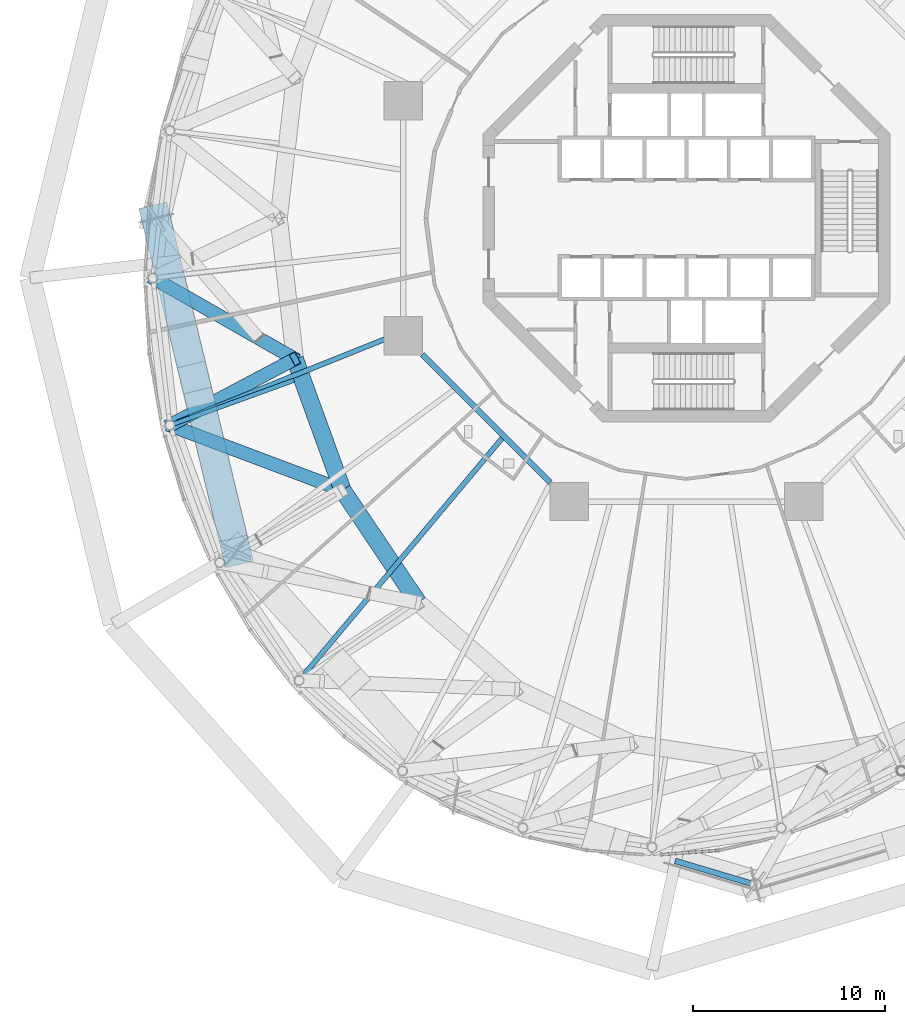
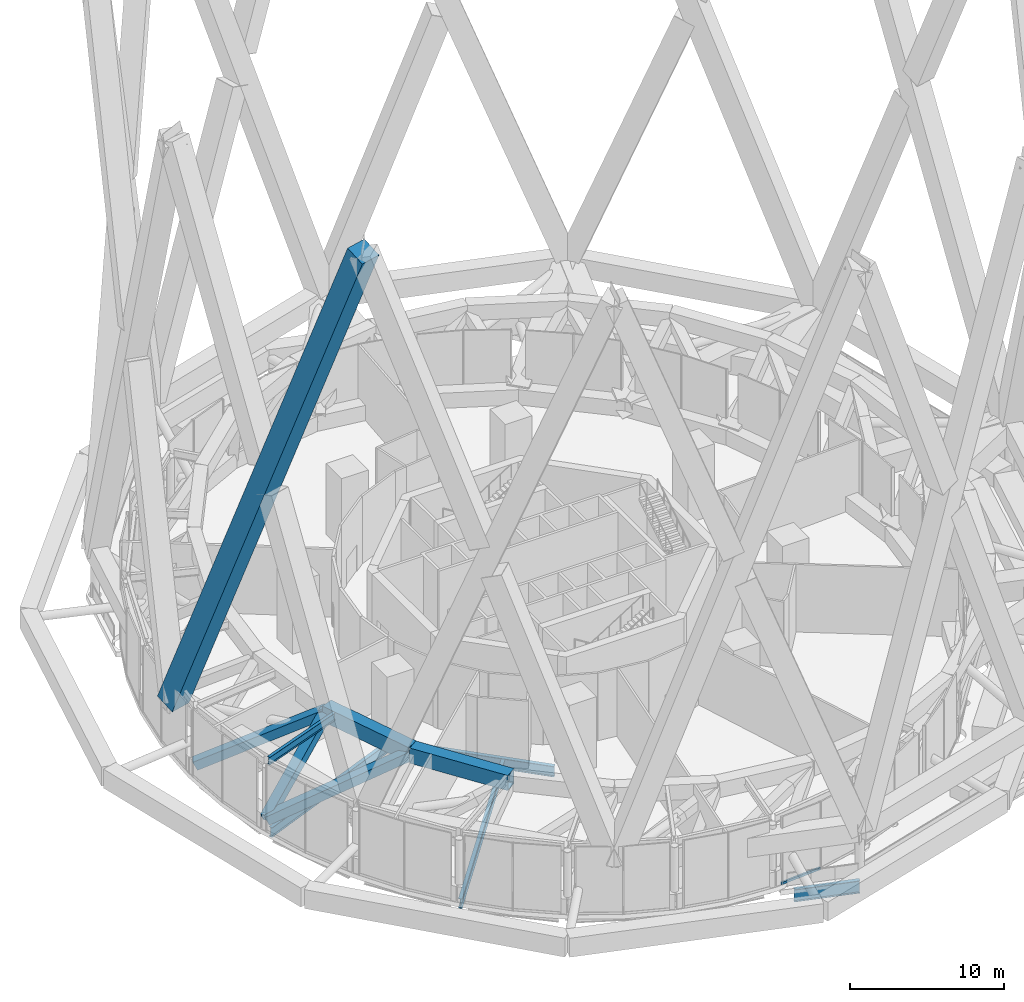
# One storey, part 11 of 49: 10 beams, 2 members, 1 element without a shape of its own.
"""IFC4 building model written with IfcOpenShell, lengths in metres."""

import ifcopenshell
import ifcopenshell.guid

model = None  # the IFC model being written
_history = None  # IfcOwnerHistory: only IFC2X3 demands one
_inside = {}  # id of a spatial element -> (the spatial element, [elements in it])
_under = {}  # id of a project, library or spatial element -> (it, [spatial elements below it])
_declared = {}  # id of a project -> (the project, [libraries it declares])
_typed = {}  # id of a type object -> (the type object, [elements of that type])
_made_of = {}  # id of a material, layer set ... -> (it, [elements and type objects made of it])


def new_model(schema):
    """Start an empty IFC model of exactly this schema.

    Asked for "IFC4X3", IfcOpenShell would pick the latest addendum, in which some entities
    have other attributes; the version numbers below select the first issue.
    IFC2X3 requires an IfcOwnerHistory on every rooted entity: one is made here for all.
    """
    global model, _history
    if schema == "IFC4X3":
        model = ifcopenshell.file(schema_version=(4, 3, 0, 0))
    else:
        model = ifcopenshell.file(schema=schema)
    _inside.clear()
    _under.clear()
    _declared.clear()
    _typed.clear()
    _made_of.clear()
    _history = None
    if model.schema == "IFC2X3":
        org = make("IfcOrganization", Name="unknown")
        user = make(
            "IfcPersonAndOrganization",
            ThePerson=make("IfcPerson", FamilyName="unknown"),
            TheOrganization=org,
        )
        app = make(
            "IfcApplication",
            ApplicationDeveloper=org,
            Version="unknown",
            ApplicationFullName="unknown",
            ApplicationIdentifier="unknown",
        )
        _history = make(
            "IfcOwnerHistory",
            OwningUser=user,
            OwningApplication=app,
            ChangeAction="ADDED",
            CreationDate=0,
        )
    return model


def make(cls, **values):
    """One entity of the class cls with the attributes given. An attribute that is None is left unset."""
    return model.create_entity(
        cls, **{name: value for name, value in values.items() if value is not None}
    )


def rooted(cls, **values):
    """An entity with a GlobalId (a new one), such as an element, a storey or a relation."""
    return make(cls, GlobalId=ifcopenshell.guid.new(), OwnerHistory=_history, **values)


def si_unit(unit_type, name, prefix=None):
    """IfcSIUnit, for example si_unit("LENGTHUNIT", "METRE", prefix="MILLI")."""
    return make("IfcSIUnit", UnitType=unit_type, Prefix=prefix, Name=name)


def assignment(units):
    """IfcUnitAssignment: the units of a project."""
    return None if units is None else make("IfcUnitAssignment", Units=units)


def point(xyz):
    """IfcCartesianPoint."""
    return None if xyz is None else make("IfcCartesianPoint", Coordinates=xyz)


def direction(xyz):
    """IfcDirection."""
    return None if xyz is None else make("IfcDirection", DirectionRatios=xyz)


def frame(location, z_axis=None, x_axis=None):
    """IfcAxis2Placement3D, a coordinate frame: its origin and axes. An axis left out is left unset."""
    return make(
        "IfcAxis2Placement3D",
        Location=point(location),
        Axis=direction(z_axis),
        RefDirection=direction(x_axis),
    )


def frame_2d(location, x_axis=None):
    """IfcAxis2Placement2D, a coordinate frame in the plane: its origin and x axis."""
    return make(
        "IfcAxis2Placement2D", Location=point(location), RefDirection=direction(x_axis)
    )


def origin():
    """The frame at (0, 0, 0) with its axes left unset."""
    return frame((0.0, 0.0, 0.0))


def origin_2d():
    """The frame at (0, 0) in the plane with its x axis left unset."""
    return frame_2d((0.0, 0.0))


def place(relative_to, where):
    """IfcLocalPlacement: puts the frame where relative to a parent placement (None: the world)."""
    return make(
        "IfcLocalPlacement", PlacementRelTo=relative_to, RelativePlacement=where
    )


def context(
    kind, dimensions, precision=None, world=None, true_north=None, identifier=None
):
    """IfcGeometricRepresentationContext, for example the 3D "Model" context."""
    return make(
        "IfcGeometricRepresentationContext",
        ContextIdentifier=identifier,
        ContextType=kind,
        CoordinateSpaceDimension=dimensions,
        Precision=precision,
        WorldCoordinateSystem=world,
        TrueNorth=true_north,
    )


def subcontext(parent, identifier, kind, view, scale=None):
    """IfcGeometricRepresentationSubContext, for example "Body" below "Model"."""
    return make(
        "IfcGeometricRepresentationSubContext",
        ContextIdentifier=identifier,
        ContextType=kind,
        ParentContext=parent,
        TargetScale=scale,
        TargetView=view,
    )


def project(units=None, contexts=None):
    """IfcProject with its units and contexts."""
    return rooted(
        "IfcProject",
        Name="project",
        RepresentationContexts=contexts,
        UnitsInContext=assignment(units),
    )


def spatial(cls, under=None, at=None, **own):
    """A site, building, storey or space (cls), placed at a placement, below another one or the project."""
    s = rooted(cls, ObjectPlacement=at, **own)
    if under is not None:
        _under.setdefault(under.id(), (under, []))[1].append(s)
    return s


def profile(cls, at=None, kind="AREA", **sizes):
    """A parametric profile (cls). Its sizes go by their IFC names, for example OverallWidth=200.0."""
    return make(cls, ProfileType=kind, Position=at, **sizes)


def rectangle(**sizes):
    """IfcRectangleProfileDef."""
    return profile("IfcRectangleProfileDef", **sizes)


def hollow_rectangle(**sizes):
    """IfcRectangleHollowProfileDef."""
    return profile("IfcRectangleHollowProfileDef", **sizes)


def i_section(**sizes):
    """IfcIShapeProfileDef."""
    return profile("IfcIShapeProfileDef", **sizes)


def extrude(swept, where, along, depth):
    """IfcExtrudedAreaSolid: the profile swept, set in the frame where, extruded along a direction by depth."""
    return make(
        "IfcExtrudedAreaSolid",
        SweptArea=swept,
        Position=where,
        ExtrudedDirection=direction(along),
        Depth=depth,
    )


def shape(context_of_items, identifier, shape_type, items):
    """IfcShapeRepresentation: the items that make up one representation, for example the "Body"."""
    return make(
        "IfcShapeRepresentation",
        ContextOfItems=context_of_items,
        RepresentationIdentifier=identifier,
        RepresentationType=shape_type,
        Items=items,
    )


def material(Name=None, Category=None):
    """IfcMaterial."""
    return make("IfcMaterial", Name=Name, Category=Category)


def layer(
    of_material, thickness, ventilated=None, Name=None, Category=None, Priority=None
):
    """IfcMaterialLayer: one layer of a wall or slab, of a material (None: an air gap)."""
    return make(
        "IfcMaterialLayer",
        Material=of_material,
        LayerThickness=thickness,
        IsVentilated=ventilated,
        Name=Name,
        Category=Category,
        Priority=Priority,
    )


def layer_set(layers, Name=None):
    """IfcMaterialLayerSet."""
    return make("IfcMaterialLayerSet", MaterialLayers=layers, LayerSetName=Name)


def material_profile(
    of_material, cross_section, Name=None, Category=None, Priority=None
):
    """IfcMaterialProfile: a cross section and its material."""
    return make(
        "IfcMaterialProfile",
        Name=Name,
        Material=of_material,
        Profile=cross_section,
        Priority=Priority,
        Category=Category,
    )


def profile_set(profiles, Name=None, composite=None):
    """IfcMaterialProfileSet."""
    return make(
        "IfcMaterialProfileSet",
        Name=Name,
        MaterialProfiles=profiles,
        CompositeProfile=composite,
    )


def made_of(thing, what):
    """Note that an element or type object is made of a material, layer set ...; save() writes the relation."""
    if what is not None:
        _made_of.setdefault(what.id(), (what, []))[1].append(thing)
    return thing


def type_object(cls, material=None, **own):
    """A type object (cls), such as IfcWallType, which elements share."""
    return made_of(rooted(cls, **own), material)


def element(
    cls,
    number,
    at=None,
    inside=None,
    cuts=None,
    type_object=None,
    material=None,
    context=None,
    identifier="Body",
    shape_type=None,
    held_by="IfcProductDefinitionShape",
    body=None,
    shapes=None,
    **own,
):
    """One element of the class cls, such as IfcWall. Its Tag is "e" and its number.

    at: its placement. inside: the storey or other place that contains it. cuts: it is an
    opening in that element (IfcRelVoidsElement). A single representation is given by context,
    identifier, shape_type and body (its items); several are given by shapes. held_by: the class
    of the entity that holds the representations. save() writes the other relations.
    """
    e = rooted(cls, Tag="e%d" % number, ObjectPlacement=at, **own)
    if body is not None:
        shapes = [shape(context, identifier, shape_type, body)]
    if shapes is not None:
        e.Representation = make(held_by, Representations=shapes)
    if inside is not None:
        _inside.setdefault(inside.id(), (inside, []))[1].append(e)
    if cuts is not None:
        rooted(
            "IfcRelVoidsElement", RelatingBuildingElement=cuts, RelatedOpeningElement=e
        )
    if type_object is not None:
        _typed.setdefault(type_object.id(), (type_object, []))[1].append(e)
    return made_of(e, material)


def aggregate(whole, parts):
    """IfcRelAggregates: a whole, such as a stair, and the parts it consists of."""
    return rooted("IfcRelAggregates", RelatingObject=whole, RelatedObjects=parts)


def save(model, path):
    """Write the relations noted so far, then the file.

    IfcRelAggregates (storeys below a building ...), IfcRelContainedInSpatialStructure (elements
    in a storey), IfcRelDefinesByType, IfcRelAssociatesMaterial and IfcRelDeclares: one each for
    every whole, place, type object, material and project.
    """
    for whole, parts in _under.values():
        aggregate(whole, parts)
    for where, things in _inside.values():
        rooted(
            "IfcRelContainedInSpatialStructure",
            RelatedElements=things,
            RelatingStructure=where,
        )
    for kind, things in _typed.values():
        rooted("IfcRelDefinesByType", RelatedObjects=things, RelatingType=kind)
    for what, things in _made_of.values():
        rooted("IfcRelAssociatesMaterial", RelatedObjects=things, RelatingMaterial=what)
    for by, libraries in _declared.values():
        rooted("IfcRelDeclares", RelatingContext=by, RelatedDefinitions=libraries)
    model.write(path)


model = new_model("IFC4")

# Units and contexts
model_context = context("Model", 3, precision=1e-05, world=origin(), true_north=direction((0.0, 1.0)))
body_context = subcontext(model_context, "Body", "Model", "MODEL_VIEW")
ifc_project = project(units=[si_unit("LENGTHUNIT", "METRE"), si_unit("AREAUNIT", "SQUARE_METRE"), si_unit("VOLUMEUNIT", "CUBIC_METRE"), si_unit("PLANEANGLEUNIT", "RADIAN"), si_unit("MASSUNIT", "GRAM", prefix="KILO")], contexts=[model_context])

# Site, building, storey
site_placement = place(None, origin())
site = spatial("IfcSite", under=ifc_project, at=site_placement, CompositionType="ELEMENT")
building_placement = place(site_placement, origin())
building = spatial("IfcBuilding", under=site, at=building_placement, Name="Nagisa Residences", CompositionType="ELEMENT")
storey_placement = place(building_placement, frame((0.0, 0.0, 160.300048828125)))
storey = spatial("IfcBuildingStorey", under=building, at=storey_placement, Name="L40", CompositionType="ELEMENT", Elevation=160.300048828125)

# Beams
ifc_material_1 = material(Name="Steel ASTM A572 Gr 50", Category="steel")
ifc_material_profile_1 = material_profile(ifc_material_1, hollow_rectangle(XDim=0.89990234375, YDim=1.199951171875, WallThickness=0.044921875, at=origin_2d()), Name="BX 900x1200x45")
ifc_profile_set_1 = profile_set([ifc_material_profile_1], Name="Steel ASTM A572 Gr 50")
beam_type_1 = type_object("IfcBeamType", Name="Belt chord 3 BX 900x1200x45", PredefinedType="BEAM", material=ifc_profile_set_1)
beam_1_placement = place(storey_placement, frame((-20.427490234375, -7.343994140625, 4.739990234375), z_axis=(0.341325710829, -0.939945083038, 0.0), x_axis=(0.939945083038, 0.341325710829, 0.0)))
element("IfcBeam", 1, at=beam_1_placement, inside=storey, type_object=beam_type_1, Name="beam:L40:bt3t14", PredefinedType="BEAM", context=body_context, shape_type="SweptSolid", body=[
    extrude(hollow_rectangle(XDim=0.89990234375, YDim=1.199951171875, WallThickness=0.044921875, at=origin_2d()), origin(), (0.0, 0.0, 1.0), 7.28076171875),
])
beam_2_placement = place(storey_placement, frame((-17.9423828125, -14.1875, 4.739990234375), z_axis=(0.558147783438, -0.829741557259, 0.0), x_axis=(0.829741557259, 0.558147783438, 0.0)))
element("IfcBeam", 2, at=beam_2_placement, inside=storey, type_object=beam_type_1, Name="beam:L40:bt3t15", PredefinedType="BEAM", context=body_context, shape_type="SweptSolid", body=[
    extrude(hollow_rectangle(XDim=0.89990234375, YDim=1.199951171875, WallThickness=0.044921875, at=origin_2d()), origin(), (0.0, 0.0, 1.0), 7.08251953125),
])
ifc_material_2 = material(Name="Steel ASTM A572 Gr 50", Category="steel")
ifc_material_profile_2 = material_profile(ifc_material_2, hollow_rectangle(XDim=0.699951171875, YDim=0.699951171875, WallThickness=0.0400390625, at=origin_2d()), Name="BX 700x700x40")
ifc_profile_set_2 = profile_set([ifc_material_profile_2], Name="Steel ASTM A572 Gr 50")
beam_type_2 = type_object("IfcBeamType", Name="Belt diagonal 3 BX 700x700x40", PredefinedType="BEAM", material=ifc_profile_set_2)
beam_3_placement = place(storey_placement, frame((-27.8349609375, -3.11767578125, 0.599853515625), z_axis=(0.781366936926, -0.445807423787, 0.436716671052), x_axis=(0.495562324868, 0.868572381654, 0.0)))
element("IfcBeam", 3, at=beam_3_placement, inside=storey, type_object=beam_type_2, Name="beam:L40:bt3db13", PredefinedType="BEAM", context=body_context, shape_type="SweptSolid", body=[
    extrude(hollow_rectangle(XDim=0.699951171875, YDim=0.699951171875, WallThickness=0.0400390625, at=origin_2d()), origin(), (0.0, 0.0, 1.0), 9.480224609375),
])
beam_4_placement = place(storey_placement, frame((-26.947998046875, -10.80322265625, 0.599853515625), z_axis=(0.770463527997, 0.408742613756, 0.489198760962), x_axis=(-0.468648912549, 0.883384512411, 0.0)))
element("IfcBeam", 4, at=beam_4_placement, inside=storey, type_object=beam_type_2, Name="beam:L40:bt3da14", PredefinedType="BEAM", context=body_context, shape_type="SweptSolid", body=[
    extrude(hollow_rectangle(XDim=0.699951171875, YDim=0.699951171875, WallThickness=0.0400390625, at=origin_2d()), origin(), (0.0, 0.0, 1.0), 8.463134765625),
])
beam_5_placement = place(storey_placement, frame((-26.947998046875, -10.80322265625, 0.599853515625), z_axis=(0.859843936715, -0.323126213863, 0.395294642525), x_axis=(0.351776902439, 0.936083869592, 0.0)))
element("IfcBeam", 5, at=beam_5_placement, inside=storey, type_object=beam_type_2, Name="beam:L40:bt3db14", PredefinedType="BEAM", context=body_context, shape_type="SweptSolid", body=[
    extrude(hollow_rectangle(XDim=0.699951171875, YDim=0.699951171875, WallThickness=0.0400390625, at=origin_2d()), origin(), (0.0, 0.0, 1.0), 10.4736328125),
])

# Curtain wall, member
ifc_material_3 = material(Name="Aluminium curtain wall system", Category="aluminium")
ifc_layer = layer(ifc_material_3, 0.159912109375)
ifc_layer_set = layer_set([ifc_layer], Name="CW2 CURTAIN WALL")
curtain_wall_type = type_object("IfcCurtainWallType", Name="CW2 CURTAIN WALL", PredefinedType="NOTDEFINED", material=ifc_layer_set)
curtain_wall_placement = place(storey_placement, origin())
curtain_wall = element("IfcCurtainWall", 6, at=curtain_wall_placement, inside=storey, type_object=curtain_wall_type, Name="cw:CW2:L40:36", PredefinedType="NOTDEFINED")
ifc_material_4 = material(Name="Aluminium", Category="aluminium")
ifc_material_profile_3 = material_profile(ifc_material_4, rectangle(XDim=0.139892578125, YDim=0.179931640625, at=origin_2d()), Name="CW2 TRANSOM 140x180")
ifc_profile_set_3 = profile_set([ifc_material_profile_3], Name="Aluminium")
member_type_1 = type_object("IfcMemberType", Name="CW2 TRANSOM 140x180", PredefinedType="USERDEFINED", material=ifc_profile_set_3)
member_1_placement = place(storey_placement, frame((-1.357177734375, -33.199462890625, 0.08984375), z_axis=(0.997229943857, 0.074380367533, 0.0), x_axis=(-0.074380367533, 0.997229943857, 0.0)))
member_1 = element("IfcMember", 7, at=member_1_placement, type_object=member_type_1, Name="CW2 transom", ObjectType="TRANSOM", PredefinedType="USERDEFINED", context=body_context, shape_type="SweptSolid", body=[
    extrude(rectangle(XDim=0.139892578125, YDim=0.179931640625, at=origin_2d()), origin(), (0.0, 0.0, 1.0), 3.02294921875),
])
aggregate(curtain_wall, [member_1])

# Member
ifc_material_5 = material(Name="Concrete C80", Category="concrete")
ifc_material_profile_4 = material_profile(ifc_material_5, rectangle(XDim=1.5, YDim=1.5, at=origin_2d()), Name="C80 1500x1500")
ifc_profile_set_4 = profile_set([ifc_material_profile_4], Name="Concrete C80")
member_type_2 = type_object("IfcMemberType", Name="Cage diagonal 4 C80 1500x1500", PredefinedType="BRACE", material=ifc_profile_set_4)
member_2_placement = place(storey_placement, frame((-27.675048828125, 0.0, 3.699951171875), z_axis=(0.087368918181, -0.362543085936, 0.927862696187), x_axis=(0.972168676875, 0.234282017456, 0.0)))
element("IfcMember", 8, at=member_2_placement, inside=storey, type_object=member_type_2, Name="mem:L40:cg4d013", PredefinedType="BRACE", context=body_context, shape_type="SweptSolid", body=[
    extrude(rectangle(XDim=1.5, YDim=1.5, at=origin_2d()), origin(), (0.0, 0.0, 1.0), 47.959716796875),
])

# Beams
ifc_material_6 = material(Name="Steel ASTM A572 Gr 50", Category="steel")
ifc_material_profile_5 = material_profile(ifc_material_6, i_section(OverallWidth=0.300048828125, OverallDepth=0.97998046875, WebThickness=0.0166015625, FlangeThickness=0.02587890625, at=origin_2d()), Name="W1000x249")
ifc_profile_set_5 = profile_set([ifc_material_profile_5], Name="Steel ASTM A572 Gr 50")
beam_type_3 = type_object("IfcBeamType", Name="Deck edge beam W1000x249", PredefinedType="BEAM", material=ifc_profile_set_5)
beam_6_placement = place(storey_placement, frame((-0.59912109375, -33.52392578125, -0.89013671875), z_axis=(0.958376601159, -0.285507075834, 0.0), x_axis=(0.285507075834, 0.958376601159, 0.0)))
element("IfcBeam", 9, at=beam_6_placement, inside=storey, type_object=beam_type_3, Name="beam:L40:deckedge07", PredefinedType="BEAM", context=body_context, shape_type="SweptSolid", body=[
    extrude(i_section(OverallWidth=0.300048828125, OverallDepth=0.97998046875, WebThickness=0.0166015625, FlangeThickness=0.02587890625, at=origin_2d()), origin(), (0.0, 0.0, 1.0), 4.381591796875),
])
ifc_material_7 = material(Name="Steel ASTM A572 Gr 50", Category="steel")
ifc_material_profile_6 = material_profile(ifc_material_7, i_section(OverallWidth=0.22802734375, OverallDepth=0.60302734375, WebThickness=0.010498046875, FlangeThickness=0.014892578125, at=origin_2d()), Name="W610x101")
ifc_profile_set_6 = profile_set([ifc_material_profile_6], Name="Steel ASTM A572 Gr 50")
beam_type_4 = type_object("IfcBeamType", Name="Garden radial beam W610x101", PredefinedType="BEAM", material=ifc_profile_set_6)
beam_7_placement = place(storey_placement, frame((-26.72802734375, -10.723388671875, 5.038330078125), z_axis=(0.939946711503, 0.341321226318, 0.0), x_axis=(-0.341321226318, 0.939946711503, 0.0)))
element("IfcBeam", 10, at=beam_7_placement, inside=storey, type_object=beam_type_4, Name="beam:L40:bt3gr14", PredefinedType="BEAM", context=body_context, shape_type="SweptSolid", body=[
    extrude(i_section(OverallWidth=0.22802734375, OverallDepth=0.60302734375, WebThickness=0.010498046875, FlangeThickness=0.014892578125, at=origin_2d()), origin(), (0.0, 0.0, 1.0), 6.645751953125),
])
ifc_material_8 = material(Name="Steel ASTM A572 Gr 50", Category="steel")
ifc_material_profile_7 = material_profile(ifc_material_8, i_section(OverallWidth=0.2919921875, OverallDepth=0.8349609375, WebThickness=0.013916015625, FlangeThickness=0.018798828125, at=origin_2d()), Name="W840x176")
ifc_profile_set_7 = profile_set([ifc_material_profile_7], Name="Steel ASTM A572 Gr 50")
beam_type_5 = type_object("IfcBeamType", Name="Inner ring beam W840x176", PredefinedType="BEAM", material=ifc_profile_set_7)
beam_8_placement = place(storey_placement, frame((-13.796142578125, -7.10888671875, -0.767578125), z_axis=(0.707106781187, -0.707106781187, 0.0), x_axis=(0.707106781187, 0.707106781187, 0.0)))
element("IfcBeam", 11, at=beam_8_placement, inside=storey, type_object=beam_type_5, Name="beam:L40:ib5", PredefinedType="BEAM", context=body_context, shape_type="SweptSolid", body=[
    extrude(i_section(OverallWidth=0.2919921875, OverallDepth=0.8349609375, WebThickness=0.013916015625, FlangeThickness=0.018798828125, at=origin_2d()), origin(), (0.0, 0.0, 1.0), 9.457275390625),
])
ifc_material_9 = material(Name="Steel ASTM A572 Gr 50", Category="steel")
ifc_material_profile_8 = material_profile(ifc_material_9, i_section(OverallWidth=0.264892578125, OverallDepth=0.7529296875, WebThickness=0.01318359375, FlangeThickness=0.01708984375, at=origin_2d()), Name="W760x147")
ifc_profile_set_8 = profile_set([ifc_material_profile_8], Name="Steel ASTM A572 Gr 50")
beam_type_6 = type_object("IfcBeamType", Name="Radial beam W760x147", PredefinedType="BEAM", material=ifc_profile_set_8)
beam_9_placement = place(storey_placement, frame((-26.5439453125, -10.641357421875, -0.7265625), z_axis=(0.928194336935, 0.372095784552, 0.0), x_axis=(-0.372095784552, 0.928194336935, 0.0)))
element("IfcBeam", 12, at=beam_9_placement, inside=storey, type_object=beam_type_6, Name="beam:L40:rb14", PredefinedType="BEAM", context=body_context, shape_type="SweptSolid", body=[
    extrude(i_section(OverallWidth=0.264892578125, OverallDepth=0.7529296875, WebThickness=0.01318359375, FlangeThickness=0.01708984375, at=origin_2d()), origin(), (0.0, 0.0, 1.0), 12.53466796875),
])
beam_10_placement = place(storey_placement, frame((-19.929931640625, -23.78173828125, -0.7265625), z_axis=(0.642303369646, 0.766450508084, 0.0), x_axis=(-0.766450508084, 0.642303369646, 0.0)))
element("IfcBeam", 13, at=beam_10_placement, inside=storey, type_object=beam_type_6, Name="beam:L40:rb16", PredefinedType="BEAM", context=body_context, shape_type="SweptSolid", body=[
    extrude(i_section(OverallWidth=0.264892578125, OverallDepth=0.7529296875, WebThickness=0.01318359375, FlangeThickness=0.01708984375, at=origin_2d()), origin(), (0.0, 0.0, 1.0), 16.062744140625),
])

save(model, "model.ifc")
